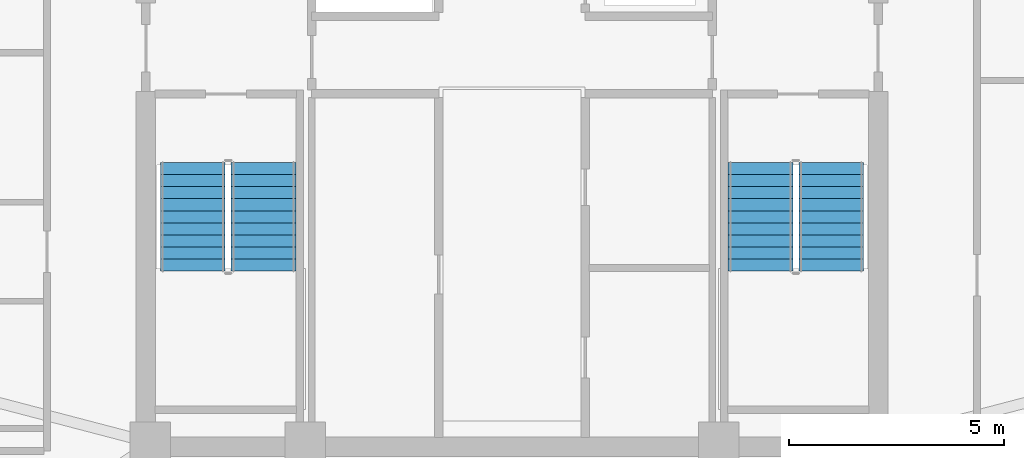
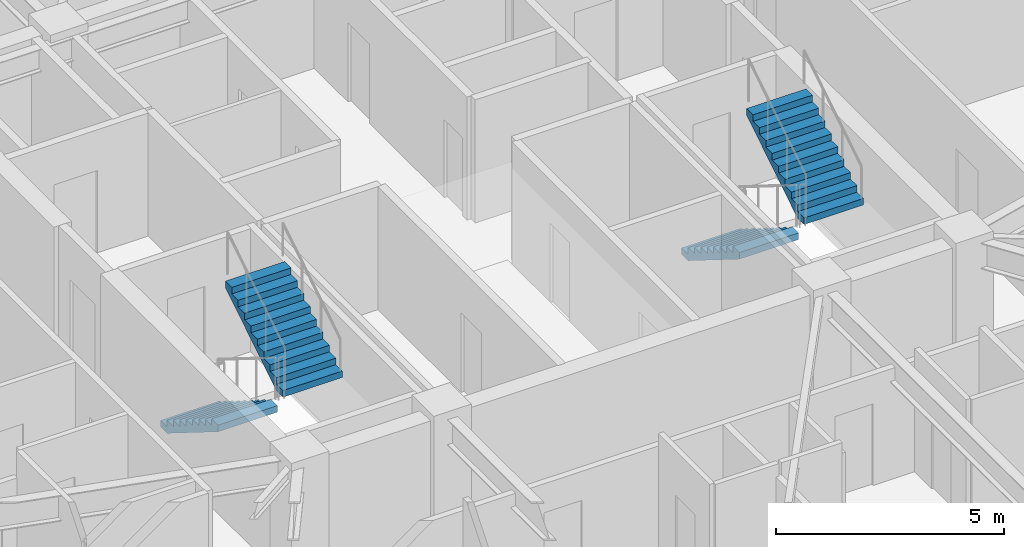
# One storey, part 12 of 17: 4 stair flights, 2 elements without a shape of their own.
"""IFC4 building model written with IfcOpenShell, lengths in metres."""

from ifc_helpers import new_model, si_unit, direction, frame, origin, place, context, subcontext, project, spatial, polyline, outline, extrude, material, type_object, element, aggregate, save


model = new_model("IFC4")

# Units and contexts
model_context = context("Model", 3, precision=1e-05, world=origin(), true_north=direction((0.0, 1.0)))
body_context = subcontext(model_context, "Body", "Model", "MODEL_VIEW")
ifc_project = project(units=[si_unit("LENGTHUNIT", "METRE"), si_unit("AREAUNIT", "SQUARE_METRE"), si_unit("VOLUMEUNIT", "CUBIC_METRE"), si_unit("PLANEANGLEUNIT", "RADIAN"), si_unit("MASSUNIT", "GRAM", prefix="KILO")], contexts=[model_context])

# Site, building, storey
site_placement = place(None, origin())
site = spatial("IfcSite", under=ifc_project, at=site_placement, CompositionType="ELEMENT")
building_placement = place(site_placement, origin())
building = spatial("IfcBuilding", under=site, at=building_placement, Name="Cairnveth Concourse Tower", CompositionType="ELEMENT")
storey_placement = place(building_placement, frame((0.0, 0.0, 241.0)))
storey = spatial("IfcBuildingStorey", under=building, at=storey_placement, Name="L66", CompositionType="ELEMENT", Elevation=241.0)

# Stair, stair flights
ifc_material = material(Name="Precast concrete N50 (50 MPa)", Category="concrete")
stair_type = type_object("IfcStairType", Name="CORE DOG-LEG FIRE STAIR 1500", PredefinedType="HALF_TURN_STAIR", material=ifc_material)
stair_1_placement = place(storey_placement, origin())
stair_1 = element("IfcStair", 1, at=stair_1_placement, inside=storey, type_object=stair_type, Name="L66 Fire-Isolated Stair ST-1", PredefinedType="HALF_TURN_STAIR")
stair_flight_type = type_object("IfcStairFlightType", Name="PRECAST CONCRETE STAIR FLIGHT 1500", PredefinedType="STRAIGHT", material=ifc_material)
stair_flight_1_placement = place(storey_placement, frame((44.590087890625, 37.10009765625, 0.0), z_axis=(0.0, 0.0, 1.0), x_axis=(0.0, -1.0, 0.0)))
stair_flight_1 = element("IfcStairFlight", 2, at=stair_flight_1_placement, type_object=stair_flight_type, Name="ST-1 flight 1", NumberOfRisers=10, NumberOfTreads=9, PredefinedType="STRAIGHT", RiserHeight=0.175, TreadLength=0.28, context=body_context, shape_type="SweptSolid", body=[
    extrude(outline(polyline([(0.0, 0.0), (0.0, 0.175048828125), (0.280029296875, 0.175048828125), (0.280029296875, 0.35009765625), (0.56005859375, 0.35009765625), (0.56005859375, 0.52490234375), (0.840087890625, 0.52490234375), (0.840087890625, 0.699951171875), (1.1201171875, 0.699951171875), (1.1201171875, 0.875), (1.39990234375, 0.875), (1.39990234375, 1.050048828125), (1.679931640625, 1.050048828125), (1.679931640625, 1.22509765625), (1.9599609375, 1.22509765625), (1.9599609375, 1.39990234375), (2.239990234375, 1.39990234375), (2.239990234375, 1.574951171875), (2.52001953125, 1.574951171875), (2.52001953125, 1.75), (2.52001953125, 1.398193359375), (0.28271484375, 0.0), (0.0, 0.0)])), frame((0.0, 0.75, 0.0), z_axis=(0.0, -1.0, 0.0), x_axis=(1.0, 0.0, 0.0)), (0.0, 0.0, 1.0), 1.5),
])
stair_flight_2_placement = place(storey_placement, frame((46.22998046875, 34.580078125, 1.75), z_axis=(0.0, 0.0, 1.0), x_axis=(0.0, 1.0, 0.0)))
stair_flight_2 = element("IfcStairFlight", 3, at=stair_flight_2_placement, type_object=stair_flight_type, Name="ST-1 flight 2", NumberOfRisers=10, NumberOfTreads=9, PredefinedType="STRAIGHT", RiserHeight=0.175, TreadLength=0.28, context=body_context, shape_type="SweptSolid", body=[
    extrude(outline(polyline([(0.0, 0.0), (0.0, 0.175048828125), (0.280029296875, 0.175048828125), (0.280029296875, 0.35009765625), (0.56005859375, 0.35009765625), (0.56005859375, 0.52490234375), (0.840087890625, 0.52490234375), (0.840087890625, 0.699951171875), (1.1201171875, 0.699951171875), (1.1201171875, 0.875), (1.39990234375, 0.875), (1.39990234375, 1.050048828125), (1.679931640625, 1.050048828125), (1.679931640625, 1.22509765625), (1.9599609375, 1.22509765625), (1.9599609375, 1.39990234375), (2.239990234375, 1.39990234375), (2.239990234375, 1.574951171875), (2.52001953125, 1.574951171875), (2.52001953125, 1.75), (2.52001953125, 1.398193359375), (0.28271484375, 0.0), (0.0, 0.0)])), frame((0.0, 0.75, 0.0), z_axis=(0.0, -1.0, 0.0), x_axis=(1.0, 0.0, 0.0)), (0.0, 0.0, 1.0), 1.5),
])
aggregate(stair_1, [stair_flight_1, stair_flight_2])

stair_2_placement = place(storey_placement, origin())
stair_2 = element("IfcStair", 4, at=stair_2_placement, inside=storey, type_object=stair_type, Name="L66 Fire-Isolated Stair ST-2", PredefinedType="HALF_TURN_STAIR")
stair_flight_3_placement = place(storey_placement, frame((57.77001953125, 37.10009765625, 0.0), z_axis=(0.0, 0.0, 1.0), x_axis=(0.0, -1.0, 0.0)))
stair_flight_3 = element("IfcStairFlight", 5, at=stair_flight_3_placement, type_object=stair_flight_type, Name="ST-2 flight 1", NumberOfRisers=10, NumberOfTreads=9, PredefinedType="STRAIGHT", RiserHeight=0.175, TreadLength=0.28, context=body_context, shape_type="SweptSolid", body=[
    extrude(outline(polyline([(0.0, 0.0), (0.0, 0.175048828125), (0.280029296875, 0.175048828125), (0.280029296875, 0.35009765625), (0.56005859375, 0.35009765625), (0.56005859375, 0.52490234375), (0.840087890625, 0.52490234375), (0.840087890625, 0.699951171875), (1.1201171875, 0.699951171875), (1.1201171875, 0.875), (1.39990234375, 0.875), (1.39990234375, 1.050048828125), (1.679931640625, 1.050048828125), (1.679931640625, 1.22509765625), (1.9599609375, 1.22509765625), (1.9599609375, 1.39990234375), (2.239990234375, 1.39990234375), (2.239990234375, 1.574951171875), (2.52001953125, 1.574951171875), (2.52001953125, 1.75), (2.52001953125, 1.398193359375), (0.28271484375, 0.0), (0.0, 0.0)])), frame((0.0, 0.75, 0.0), z_axis=(0.0, -1.0, 0.0), x_axis=(1.0, 0.0, 0.0)), (0.0, 0.0, 1.0), 1.5),
])
stair_flight_4_placement = place(storey_placement, frame((59.409912109375, 34.580078125, 1.75), z_axis=(0.0, 0.0, 1.0), x_axis=(0.0, 1.0, 0.0)))
stair_flight_4 = element("IfcStairFlight", 6, at=stair_flight_4_placement, type_object=stair_flight_type, Name="ST-2 flight 2", NumberOfRisers=10, NumberOfTreads=9, PredefinedType="STRAIGHT", RiserHeight=0.175, TreadLength=0.28, context=body_context, shape_type="SweptSolid", body=[
    extrude(outline(polyline([(0.0, 0.0), (0.0, 0.175048828125), (0.280029296875, 0.175048828125), (0.280029296875, 0.35009765625), (0.56005859375, 0.35009765625), (0.56005859375, 0.52490234375), (0.840087890625, 0.52490234375), (0.840087890625, 0.699951171875), (1.1201171875, 0.699951171875), (1.1201171875, 0.875), (1.39990234375, 0.875), (1.39990234375, 1.050048828125), (1.679931640625, 1.050048828125), (1.679931640625, 1.22509765625), (1.9599609375, 1.22509765625), (1.9599609375, 1.39990234375), (2.239990234375, 1.39990234375), (2.239990234375, 1.574951171875), (2.52001953125, 1.574951171875), (2.52001953125, 1.75), (2.52001953125, 1.398193359375), (0.28271484375, 0.0), (0.0, 0.0)])), frame((0.0, 0.75, 0.0), z_axis=(0.0, -1.0, 0.0), x_axis=(1.0, 0.0, 0.0)), (0.0, 0.0, 1.0), 1.5),
])
aggregate(stair_2, [stair_flight_3, stair_flight_4])

save(model, "model.ifc")
